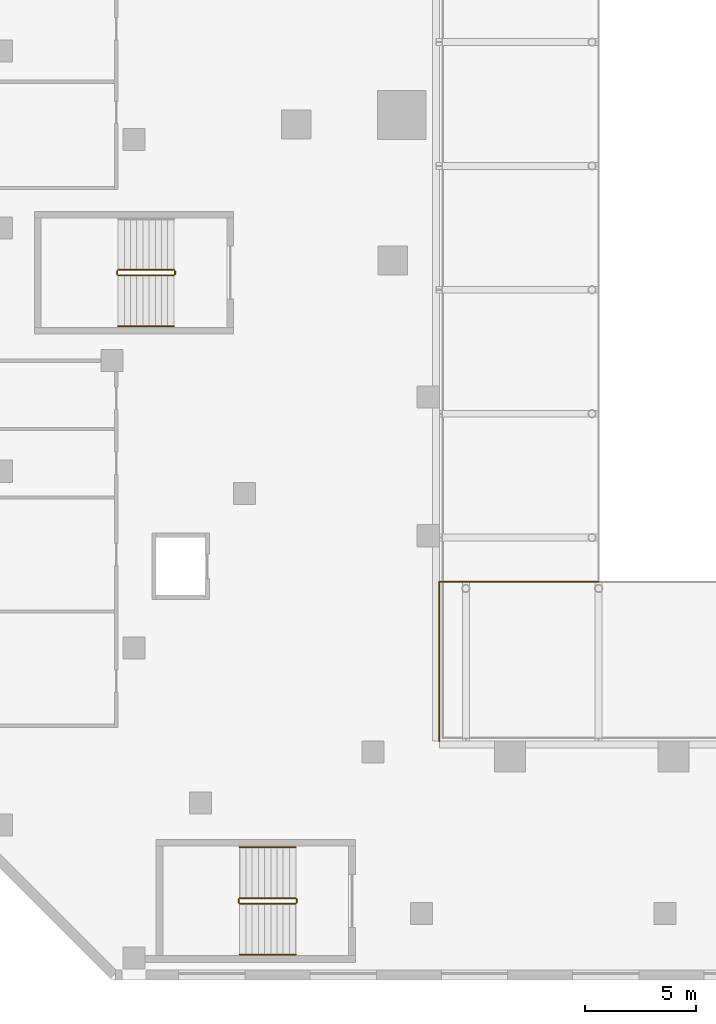
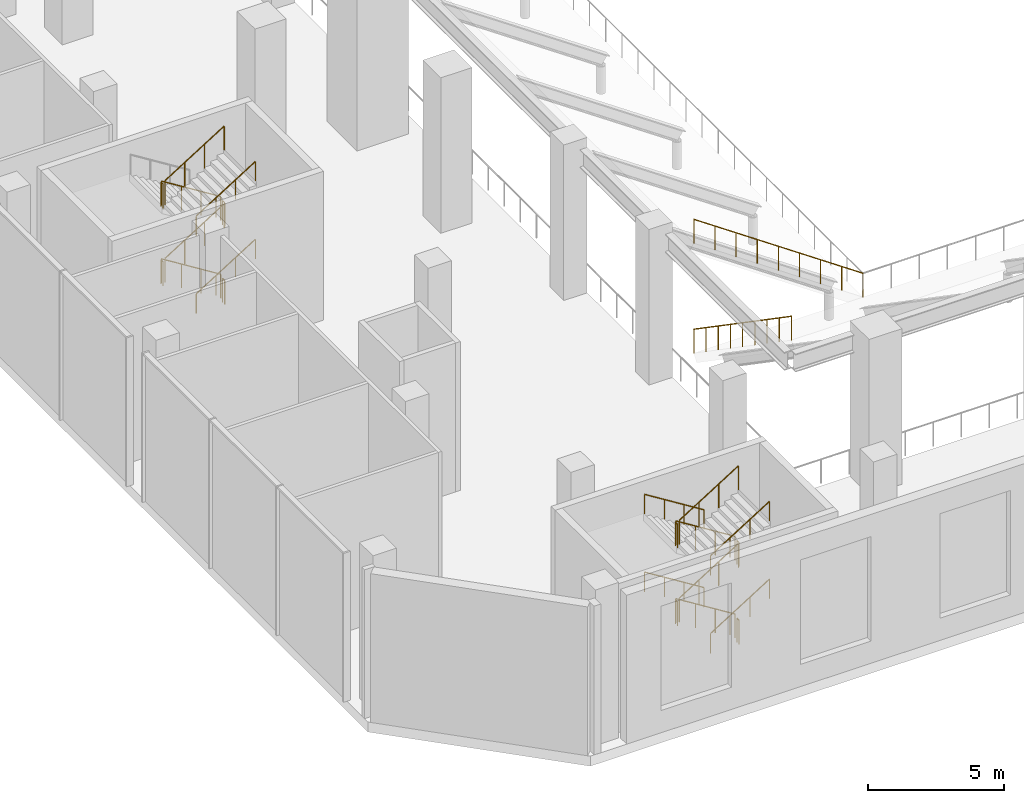
# One storey, part 31 of 41: 24 railings.
"""IFC4 building model written with IfcOpenShell, lengths in metres."""

from ifc_helpers import new_model, si_unit, direction, frame, origin, origin_2d, place, context, subcontext, project, spatial, circle, extrude, material, type_object, element, save


model = new_model("IFC4")

# Units and contexts
model_context = context("Model", 3, precision=1e-05, world=origin(), true_north=direction((0.0, 1.0)))
body_context = subcontext(model_context, "Body", "Model", "MODEL_VIEW")
ifc_project = project(units=[si_unit("LENGTHUNIT", "METRE"), si_unit("AREAUNIT", "SQUARE_METRE"), si_unit("VOLUMEUNIT", "CUBIC_METRE"), si_unit("PLANEANGLEUNIT", "RADIAN"), si_unit("MASSUNIT", "GRAM", prefix="KILO")], contexts=[model_context])

# Site, building, storey
site_placement = place(None, origin())
site = spatial("IfcSite", under=ifc_project, at=site_placement, CompositionType="ELEMENT")
building_placement = place(site_placement, origin())
building = spatial("IfcBuilding", under=site, at=building_placement, Name="Wharfspan Tower", CompositionType="ELEMENT")
storey_placement = place(building_placement, frame((0.0, 0.0, 8.0)))
storey = spatial("IfcBuildingStorey", under=building, at=storey_placement, Name="L01", CompositionType="ELEMENT", Elevation=8.0)

# Railings
ifc_material = material(Name="Steel S355J2", Category="steel")
railing_type_1 = type_object("IfcRailingType", Name="Guard 1100", PredefinedType="GUARDRAIL", material=ifc_material)
railing_1_placement = place(storey_placement, frame((16.0, -14.0, 2.050049)))
element("IfcRailing", 1, at=railing_1_placement, inside=storey, type_object=railing_type_1, Name="Guard on the upper tier", PredefinedType="GUARDRAIL", context=body_context, shape_type="SweptSolid", body=[
    extrude(circle(Radius=0.024902, at=origin_2d()), frame((0.0, 0.0, 1.075195), z_axis=(-0.824043, 0.0, 0.566528), x_axis=(0.0, -1.0, 0.0)), (0.0, 0.0, 1.0), 8.737305),
    extrude(circle(Radius=0.02002, at=origin_2d()), origin(), (0.0, 0.0, 1.0), 1.050049),
    extrude(circle(Radius=0.02002, at=origin_2d()), frame((-0.899902, 0.0, 0.618652)), (0.0, 0.0, 1.0), 1.050049),
    extrude(circle(Radius=0.02002, at=origin_2d()), frame((-1.800049, 0.0, 1.237549)), (0.0, 0.0, 1.0), 1.050049),
    extrude(circle(Radius=0.02002, at=origin_2d()), frame((-2.699951, 0.0, 1.856201)), (0.0, 0.0, 1.0), 1.050049),
    extrude(circle(Radius=0.02002, at=origin_2d()), frame((-3.600098, 0.0, 2.475098)), (0.0, 0.0, 1.0), 1.050049),
    extrude(circle(Radius=0.02002, at=origin_2d()), frame((-4.5, 0.0, 3.09375)), (0.0, 0.0, 1.0), 1.050049),
    extrude(circle(Radius=0.02002, at=origin_2d()), frame((-5.399902, 0.0, 3.712402)), (0.0, 0.0, 1.0), 1.050049),
    extrude(circle(Radius=0.02002, at=origin_2d()), frame((-6.300049, 0.0, 4.331299)), (0.0, 0.0, 1.0), 1.050049),
    extrude(circle(Radius=0.02002, at=origin_2d()), frame((-7.199951, 0.0, 4.949951)), (0.0, 0.0, 1.0), 1.050049),
])
railing_2_placement = place(storey_placement, frame((8.800049, -14.0, 2.050049)))
element("IfcRailing", 2, at=railing_2_placement, inside=storey, type_object=railing_type_1, Name="Guard on the upper tier", PredefinedType="GUARDRAIL", context=body_context, shape_type="SweptSolid", body=[
    extrude(circle(Radius=0.024902, at=origin_2d()), frame((0.0, 0.0, 1.075195), z_axis=(0.0, -0.824043, 0.566528), x_axis=(1.0, 0.0, 0.0)), (0.0, 0.0, 1.0), 8.737305),
    extrude(circle(Radius=0.02002, at=origin_2d()), origin(), (0.0, 0.0, 1.0), 1.050049),
    extrude(circle(Radius=0.02002, at=origin_2d()), frame((0.0, -0.899902, 0.618652)), (0.0, 0.0, 1.0), 1.050049),
    extrude(circle(Radius=0.02002, at=origin_2d()), frame((0.0, -1.800049, 1.237549)), (0.0, 0.0, 1.0), 1.050049),
    extrude(circle(Radius=0.02002, at=origin_2d()), frame((0.0, -2.699951, 1.856201)), (0.0, 0.0, 1.0), 1.050049),
    extrude(circle(Radius=0.02002, at=origin_2d()), frame((0.0, -3.600098, 2.475098)), (0.0, 0.0, 1.0), 1.050049),
    extrude(circle(Radius=0.02002, at=origin_2d()), frame((0.0, -4.5, 3.09375)), (0.0, 0.0, 1.0), 1.050049),
    extrude(circle(Radius=0.02002, at=origin_2d()), frame((0.0, -5.399902, 3.712402)), (0.0, 0.0, 1.0), 1.050049),
    extrude(circle(Radius=0.02002, at=origin_2d()), frame((0.0, -6.300049, 4.331299)), (0.0, 0.0, 1.0), 1.050049),
    extrude(circle(Radius=0.02002, at=origin_2d()), frame((0.0, -7.199951, 4.949951)), (0.0, 0.0, 1.0), 1.050049),
])
railing_type_2 = type_object("IfcRailingType", Name="Podium guard 1100", PredefinedType="GUARDRAIL", material=ifc_material)
railing_3_placement = place(storey_placement, frame((2.300049, -28.300049, 0.175049)))
element("IfcRailing", 3, at=railing_3_placement, inside=storey, type_object=railing_type_2, Name="L01 AS1 stair guard 1", PredefinedType="GUARDRAIL", context=body_context, shape_type="SweptSolid", body=[
    extrude(circle(Radius=0.023926, at=origin_2d()), frame((0.0, 0.0, 1.076172), z_axis=(-0.848008, 0.0, 0.529984), x_axis=(0.0, -1.0, 0.0)), (0.0, 0.0, 1.0), 2.97168),
    extrude(circle(Radius=0.020996, at=origin_2d()), origin(), (0.0, 0.0, 1.0), 1.052002),
    extrude(circle(Radius=0.020996, at=origin_2d()), frame((-0.840088, 0.0, 0.524902)), (0.0, 0.0, 1.0), 1.052002),
    extrude(circle(Radius=0.020996, at=origin_2d()), frame((-1.679932, 0.0, 1.050049)), (0.0, 0.0, 1.0), 1.052002),
    extrude(circle(Radius=0.020996, at=origin_2d()), frame((-2.52002, 0.0, 1.574951)), (0.0, 0.0, 1.0), 1.052002),
])
railing_4_placement = place(storey_placement, frame((-0.27002, -28.350098, 1.75)))
element("IfcRailing", 4, at=railing_4_placement, inside=storey, type_object=railing_type_2, Name="L01 AS1 stair guard 2", PredefinedType="GUARDRAIL", context=body_context, shape_type="SweptSolid", body=[
    extrude(circle(Radius=0.023926, at=origin_2d()), frame((0.0, 0.0, 1.076172), z_axis=(0.0, -1.0, 0.0), x_axis=(1.0, 0.0, 0.0)), (0.0, 0.0, 1.0), 0.149902),
    extrude(circle(Radius=0.020996, at=origin_2d()), origin(), (0.0, 0.0, 1.0), 1.052002),
    extrude(circle(Radius=0.020996, at=origin_2d()), frame((0.0, -0.149902, 0.0)), (0.0, 0.0, 1.0), 1.052002),
])
railing_5_placement = place(storey_placement, frame((-0.219971, -28.550049, 1.925049)))
element("IfcRailing", 5, at=railing_5_placement, inside=storey, type_object=railing_type_2, Name="L01 AS1 stair guard 3", PredefinedType="GUARDRAIL", context=body_context, shape_type="SweptSolid", body=[
    extrude(circle(Radius=0.023926, at=origin_2d()), frame((0.0, 0.0, 1.076172), z_axis=(0.848008, 0.0, 0.529984), x_axis=(0.0, 1.0, 0.0)), (0.0, 0.0, 1.0), 2.97168),
    extrude(circle(Radius=0.020996, at=origin_2d()), origin(), (0.0, 0.0, 1.0), 1.052002),
    extrude(circle(Radius=0.020996, at=origin_2d()), frame((0.840088, 0.0, 0.524902)), (0.0, 0.0, 1.0), 1.052002),
    extrude(circle(Radius=0.020996, at=origin_2d()), frame((1.679932, 0.0, 1.050049)), (0.0, 0.0, 1.0), 1.052002),
    extrude(circle(Radius=0.020996, at=origin_2d()), frame((2.52002, 0.0, 1.574951)), (0.0, 0.0, 1.0), 1.052002),
])
railing_6_placement = place(storey_placement, frame((2.350098, -28.350098, 3.5)))
element("IfcRailing", 6, at=railing_6_placement, inside=storey, type_object=railing_type_2, Name="L01 AS1 stair guard 4", PredefinedType="GUARDRAIL", context=body_context, shape_type="SweptSolid", body=[
    extrude(circle(Radius=0.023926, at=origin_2d()), frame((0.0, 0.0, 1.076172), z_axis=(0.0, -1.0, 0.0), x_axis=(1.0, 0.0, 0.0)), (0.0, 0.0, 1.0), 0.149902),
    extrude(circle(Radius=0.020996, at=origin_2d()), origin(), (0.0, 0.0, 1.0), 1.052002),
    extrude(circle(Radius=0.020996, at=origin_2d()), frame((0.0, -0.149902, 0.0)), (0.0, 0.0, 1.0), 1.052002),
])
railing_7_placement = place(storey_placement, frame((2.300049, -28.300049, 3.675049)))
element("IfcRailing", 7, at=railing_7_placement, inside=storey, type_object=railing_type_2, Name="L01 AS1 stair guard 5", PredefinedType="GUARDRAIL", context=body_context, shape_type="SweptSolid", body=[
    extrude(circle(Radius=0.023926, at=origin_2d()), frame((0.0, 0.0, 1.076172), z_axis=(-0.848008, 0.0, 0.529984), x_axis=(0.0, -1.0, 0.0)), (0.0, 0.0, 1.0), 2.97168),
    extrude(circle(Radius=0.020996, at=origin_2d()), origin(), (0.0, 0.0, 1.0), 1.052002),
    extrude(circle(Radius=0.020996, at=origin_2d()), frame((-0.840088, 0.0, 0.524902)), (0.0, 0.0, 1.0), 1.052002),
    extrude(circle(Radius=0.020996, at=origin_2d()), frame((-1.679932, 0.0, 1.050049)), (0.0, 0.0, 1.0), 1.052002),
    extrude(circle(Radius=0.020996, at=origin_2d()), frame((-2.52002, 0.0, 1.574951)), (0.0, 0.0, 1.0), 1.052002),
])
railing_8_placement = place(storey_placement, frame((-0.27002, -28.350098, 5.25)))
element("IfcRailing", 8, at=railing_8_placement, inside=storey, type_object=railing_type_2, Name="L01 AS1 stair guard 6", PredefinedType="GUARDRAIL", context=body_context, shape_type="SweptSolid", body=[
    extrude(circle(Radius=0.023926, at=origin_2d()), frame((0.0, 0.0, 1.076172), z_axis=(0.0, -1.0, 0.0), x_axis=(1.0, 0.0, 0.0)), (0.0, 0.0, 1.0), 0.149902),
    extrude(circle(Radius=0.020996, at=origin_2d()), origin(), (0.0, 0.0, 1.0), 1.052002),
    extrude(circle(Radius=0.020996, at=origin_2d()), frame((0.0, -0.149902, 0.0)), (0.0, 0.0, 1.0), 1.052002),
])
railing_9_placement = place(storey_placement, frame((-0.219971, -28.550049, 5.425049)))
element("IfcRailing", 9, at=railing_9_placement, inside=storey, type_object=railing_type_2, Name="L01 AS1 stair guard 7", PredefinedType="GUARDRAIL", context=body_context, shape_type="SweptSolid", body=[
    extrude(circle(Radius=0.023926, at=origin_2d()), frame((0.0, 0.0, 1.076172), z_axis=(0.848008, 0.0, 0.529984), x_axis=(0.0, 1.0, 0.0)), (0.0, 0.0, 1.0), 2.97168),
    extrude(circle(Radius=0.020996, at=origin_2d()), origin(), (0.0, 0.0, 1.0), 1.052002),
    extrude(circle(Radius=0.020996, at=origin_2d()), frame((0.840088, 0.0, 0.524902)), (0.0, 0.0, 1.0), 1.052002),
    extrude(circle(Radius=0.020996, at=origin_2d()), frame((1.679932, 0.0, 1.050049)), (0.0, 0.0, 1.0), 1.052002),
    extrude(circle(Radius=0.020996, at=origin_2d()), frame((2.52002, 0.0, 1.574951)), (0.0, 0.0, 1.0), 1.052002),
])
railing_10_placement = place(storey_placement, frame((2.350098, -28.350098, 0.0)))
element("IfcRailing", 10, at=railing_10_placement, inside=storey, type_object=railing_type_2, Name="L01 AS1 stair guard 8", PredefinedType="GUARDRAIL", context=body_context, shape_type="SweptSolid", body=[
    extrude(circle(Radius=0.023926, at=origin_2d()), frame((0.0, 0.0, 1.076172), z_axis=(0.0, -1.0, 0.0), x_axis=(1.0, 0.0, 0.0)), (0.0, 0.0, 1.0), 0.149902),
    extrude(circle(Radius=0.020996, at=origin_2d()), origin(), (0.0, 0.0, 1.0), 1.052002),
    extrude(circle(Radius=0.020996, at=origin_2d()), frame((0.0, -0.149902, 0.0)), (0.0, 0.0, 1.0), 1.052002),
])
railing_11_placement = place(storey_placement, frame((-3.199951, 0.100098, 0.175049)))
element("IfcRailing", 11, at=railing_11_placement, inside=storey, type_object=railing_type_2, Name="L01 AS7 stair guard 1", PredefinedType="GUARDRAIL", context=body_context, shape_type="SweptSolid", body=[
    extrude(circle(Radius=0.023926, at=origin_2d()), frame((0.0, 0.0, 1.076172), z_axis=(-0.848008, 0.0, 0.529984), x_axis=(0.0, -1.0, 0.0)), (0.0, 0.0, 1.0), 2.97168),
    extrude(circle(Radius=0.020996, at=origin_2d()), origin(), (0.0, 0.0, 1.0), 1.052002),
    extrude(circle(Radius=0.020996, at=origin_2d()), frame((-0.840088, 0.0, 0.524902)), (0.0, 0.0, 1.0), 1.052002),
    extrude(circle(Radius=0.020996, at=origin_2d()), frame((-1.679932, 0.0, 1.050049)), (0.0, 0.0, 1.0), 1.052002),
    extrude(circle(Radius=0.020996, at=origin_2d()), frame((-2.52002, 0.0, 1.574951)), (0.0, 0.0, 1.0), 1.052002),
])
railing_12_placement = place(storey_placement, frame((-5.77002, 0.050049, 1.75)))
element("IfcRailing", 12, at=railing_12_placement, inside=storey, type_object=railing_type_2, Name="L01 AS7 stair guard 2", PredefinedType="GUARDRAIL", context=body_context, shape_type="SweptSolid", body=[
    extrude(circle(Radius=0.023926, at=origin_2d()), frame((0.0, 0.0, 1.076172), z_axis=(0.0, -1.0, 0.0), x_axis=(1.0, 0.0, 0.0)), (0.0, 0.0, 1.0), 0.150146),
    extrude(circle(Radius=0.020996, at=origin_2d()), origin(), (0.0, 0.0, 1.0), 1.052002),
    extrude(circle(Radius=0.020996, at=origin_2d()), frame((0.0, -0.150146, 0.0)), (0.0, 0.0, 1.0), 1.052002),
])
railing_13_placement = place(storey_placement, frame((-5.719971, -0.149902, 1.925049)))
element("IfcRailing", 13, at=railing_13_placement, inside=storey, type_object=railing_type_2, Name="L01 AS7 stair guard 3", PredefinedType="GUARDRAIL", context=body_context, shape_type="SweptSolid", body=[
    extrude(circle(Radius=0.023926, at=origin_2d()), frame((0.0, 0.0, 1.076172), z_axis=(0.848008, 0.0, 0.529984), x_axis=(0.0, 1.0, 0.0)), (0.0, 0.0, 1.0), 2.97168),
    extrude(circle(Radius=0.020996, at=origin_2d()), origin(), (0.0, 0.0, 1.0), 1.052002),
    extrude(circle(Radius=0.020996, at=origin_2d()), frame((0.840088, 0.0, 0.524902)), (0.0, 0.0, 1.0), 1.052002),
    extrude(circle(Radius=0.020996, at=origin_2d()), frame((1.679932, 0.0, 1.050049)), (0.0, 0.0, 1.0), 1.052002),
    extrude(circle(Radius=0.020996, at=origin_2d()), frame((2.52002, 0.0, 1.574951)), (0.0, 0.0, 1.0), 1.052002),
])
railing_14_placement = place(storey_placement, frame((-3.149902, 0.050049, 3.5)))
element("IfcRailing", 14, at=railing_14_placement, inside=storey, type_object=railing_type_2, Name="L01 AS7 stair guard 4", PredefinedType="GUARDRAIL", context=body_context, shape_type="SweptSolid", body=[
    extrude(circle(Radius=0.023926, at=origin_2d()), frame((0.0, 0.0, 1.076172), z_axis=(0.0, -1.0, 0.0), x_axis=(1.0, 0.0, 0.0)), (0.0, 0.0, 1.0), 0.150146),
    extrude(circle(Radius=0.020996, at=origin_2d()), origin(), (0.0, 0.0, 1.0), 1.052002),
    extrude(circle(Radius=0.020996, at=origin_2d()), frame((0.0, -0.150146, 0.0)), (0.0, 0.0, 1.0), 1.052002),
])
railing_15_placement = place(storey_placement, frame((-3.199951, 0.100098, 3.675049)))
element("IfcRailing", 15, at=railing_15_placement, inside=storey, type_object=railing_type_2, Name="L01 AS7 stair guard 5", PredefinedType="GUARDRAIL", context=body_context, shape_type="SweptSolid", body=[
    extrude(circle(Radius=0.023926, at=origin_2d()), frame((0.0, 0.0, 1.076172), z_axis=(-0.848008, 0.0, 0.529984), x_axis=(0.0, -1.0, 0.0)), (0.0, 0.0, 1.0), 2.97168),
    extrude(circle(Radius=0.020996, at=origin_2d()), origin(), (0.0, 0.0, 1.0), 1.052002),
    extrude(circle(Radius=0.020996, at=origin_2d()), frame((-0.840088, 0.0, 0.524902)), (0.0, 0.0, 1.0), 1.052002),
    extrude(circle(Radius=0.020996, at=origin_2d()), frame((-1.679932, 0.0, 1.050049)), (0.0, 0.0, 1.0), 1.052002),
    extrude(circle(Radius=0.020996, at=origin_2d()), frame((-2.52002, 0.0, 1.574951)), (0.0, 0.0, 1.0), 1.052002),
])
railing_16_placement = place(storey_placement, frame((-5.77002, 0.050049, 5.25)))
element("IfcRailing", 16, at=railing_16_placement, inside=storey, type_object=railing_type_2, Name="L01 AS7 stair guard 6", PredefinedType="GUARDRAIL", context=body_context, shape_type="SweptSolid", body=[
    extrude(circle(Radius=0.023926, at=origin_2d()), frame((0.0, 0.0, 1.076172), z_axis=(0.0, -1.0, 0.0), x_axis=(1.0, 0.0, 0.0)), (0.0, 0.0, 1.0), 0.150146),
    extrude(circle(Radius=0.020996, at=origin_2d()), origin(), (0.0, 0.0, 1.0), 1.052002),
    extrude(circle(Radius=0.020996, at=origin_2d()), frame((0.0, -0.150146, 0.0)), (0.0, 0.0, 1.0), 1.052002),
])
railing_17_placement = place(storey_placement, frame((-5.719971, -0.149902, 5.425049)))
element("IfcRailing", 17, at=railing_17_placement, inside=storey, type_object=railing_type_2, Name="L01 AS7 stair guard 7", PredefinedType="GUARDRAIL", context=body_context, shape_type="SweptSolid", body=[
    extrude(circle(Radius=0.023926, at=origin_2d()), frame((0.0, 0.0, 1.076172), z_axis=(0.848008, 0.0, 0.529984), x_axis=(0.0, 1.0, 0.0)), (0.0, 0.0, 1.0), 2.97168),
    extrude(circle(Radius=0.020996, at=origin_2d()), origin(), (0.0, 0.0, 1.0), 1.052002),
    extrude(circle(Radius=0.020996, at=origin_2d()), frame((0.840088, 0.0, 0.524902)), (0.0, 0.0, 1.0), 1.052002),
    extrude(circle(Radius=0.020996, at=origin_2d()), frame((1.679932, 0.0, 1.050049)), (0.0, 0.0, 1.0), 1.052002),
    extrude(circle(Radius=0.020996, at=origin_2d()), frame((2.52002, 0.0, 1.574951)), (0.0, 0.0, 1.0), 1.052002),
])
railing_18_placement = place(storey_placement, frame((-3.149902, 0.050049, 0.0)))
element("IfcRailing", 18, at=railing_18_placement, inside=storey, type_object=railing_type_2, Name="L01 AS7 stair guard 8", PredefinedType="GUARDRAIL", context=body_context, shape_type="SweptSolid", body=[
    extrude(circle(Radius=0.023926, at=origin_2d()), frame((0.0, 0.0, 1.076172), z_axis=(0.0, -1.0, 0.0), x_axis=(1.0, 0.0, 0.0)), (0.0, 0.0, 1.0), 0.150146),
    extrude(circle(Radius=0.020996, at=origin_2d()), origin(), (0.0, 0.0, 1.0), 1.052002),
    extrude(circle(Radius=0.020996, at=origin_2d()), frame((0.0, -0.150146, 0.0)), (0.0, 0.0, 1.0), 1.052002),
])
railing_type_3 = type_object("IfcRailingType", Name="Podium stair handrail 900", PredefinedType="HANDRAIL", material=ifc_material)
railing_19_placement = place(storey_placement, frame((2.300049, -26.0, 0.175049)))
element("IfcRailing", 19, at=railing_19_placement, inside=storey, type_object=railing_type_3, Name="L01 AS1 stair handrail 1", PredefinedType="HANDRAIL", context=body_context, shape_type="SweptSolid", body=[
    extrude(circle(Radius=0.023926, at=origin_2d()), frame((0.0, 0.0, 0.875977), z_axis=(-0.848008, 0.0, 0.529984), x_axis=(0.0, -1.0, 0.0)), (0.0, 0.0, 1.0), 2.97168),
    extrude(circle(Radius=0.020996, at=origin_2d()), origin(), (0.0, 0.0, 1.0), 0.851807),
    extrude(circle(Radius=0.020996, at=origin_2d()), frame((-0.840088, 0.0, 0.524902)), (0.0, 0.0, 1.0), 0.851807),
    extrude(circle(Radius=0.020996, at=origin_2d()), frame((-1.679932, 0.0, 1.050049)), (0.0, 0.0, 1.0), 0.851807),
    extrude(circle(Radius=0.020996, at=origin_2d()), frame((-2.52002, 0.0, 1.574951)), (0.0, 0.0, 1.0), 0.851807),
])
railing_20_placement = place(storey_placement, frame((-0.219971, -30.850098, 1.925049)))
element("IfcRailing", 20, at=railing_20_placement, inside=storey, type_object=railing_type_3, Name="L01 AS1 stair handrail 2", PredefinedType="HANDRAIL", context=body_context, shape_type="SweptSolid", body=[
    extrude(circle(Radius=0.023926, at=origin_2d()), frame((0.0, 0.0, 0.875977), z_axis=(0.848008, 0.0, 0.529984), x_axis=(0.0, 1.0, 0.0)), (0.0, 0.0, 1.0), 2.97168),
    extrude(circle(Radius=0.020996, at=origin_2d()), origin(), (0.0, 0.0, 1.0), 0.851807),
    extrude(circle(Radius=0.020996, at=origin_2d()), frame((0.840088, 0.0, 0.524902)), (0.0, 0.0, 1.0), 0.851807),
    extrude(circle(Radius=0.020996, at=origin_2d()), frame((1.679932, 0.0, 1.050049)), (0.0, 0.0, 1.0), 0.851807),
    extrude(circle(Radius=0.020996, at=origin_2d()), frame((2.52002, 0.0, 1.574951)), (0.0, 0.0, 1.0), 0.851807),
])
railing_21_placement = place(storey_placement, frame((2.300049, -26.0, 3.675049)))
element("IfcRailing", 21, at=railing_21_placement, inside=storey, type_object=railing_type_3, Name="L01 AS1 stair handrail 3", PredefinedType="HANDRAIL", context=body_context, shape_type="SweptSolid", body=[
    extrude(circle(Radius=0.023926, at=origin_2d()), frame((0.0, 0.0, 0.875977), z_axis=(-0.848008, 0.0, 0.529984), x_axis=(0.0, -1.0, 0.0)), (0.0, 0.0, 1.0), 2.97168),
    extrude(circle(Radius=0.020996, at=origin_2d()), origin(), (0.0, 0.0, 1.0), 0.851807),
    extrude(circle(Radius=0.020996, at=origin_2d()), frame((-0.840088, 0.0, 0.524902)), (0.0, 0.0, 1.0), 0.851807),
    extrude(circle(Radius=0.020996, at=origin_2d()), frame((-1.679932, 0.0, 1.050049)), (0.0, 0.0, 1.0), 0.851807),
    extrude(circle(Radius=0.020996, at=origin_2d()), frame((-2.52002, 0.0, 1.574951)), (0.0, 0.0, 1.0), 0.851807),
])
for number, where, name in (
    (22, (-0.219971, -30.850098, 5.425049), "L01 AS1 stair handrail 4"),
    (23, (-5.719971, -2.449951, 1.925049), "L01 AS7 stair handrail 2"),
    (24, (-5.719971, -2.449951, 5.425049), "L01 AS7 stair handrail 4"),
):
    element("IfcRailing", number, at=place(storey_placement, frame(where)), inside=storey, type_object=railing_type_3, Name=name, PredefinedType="HANDRAIL", context=body_context, shape_type="SweptSolid", body=[
        extrude(circle(Radius=0.023926, at=origin_2d()), frame((0.0, 0.0, 0.875977), z_axis=(0.848008, 0.0, 0.529984), x_axis=(0.0, 1.0, 0.0)), (0.0, 0.0, 1.0), 2.97168),
        extrude(circle(Radius=0.020996, at=origin_2d()), origin(), (0.0, 0.0, 1.0), 0.851807),
        extrude(circle(Radius=0.020996, at=origin_2d()), frame((0.840088, 0.0, 0.524902)), (0.0, 0.0, 1.0), 0.851807),
        extrude(circle(Radius=0.020996, at=origin_2d()), frame((1.679932, 0.0, 1.050049)), (0.0, 0.0, 1.0), 0.851807),
        extrude(circle(Radius=0.020996, at=origin_2d()), frame((2.52002, 0.0, 1.574951)), (0.0, 0.0, 1.0), 0.851807),
    ])

save(model, "model.ifc")
